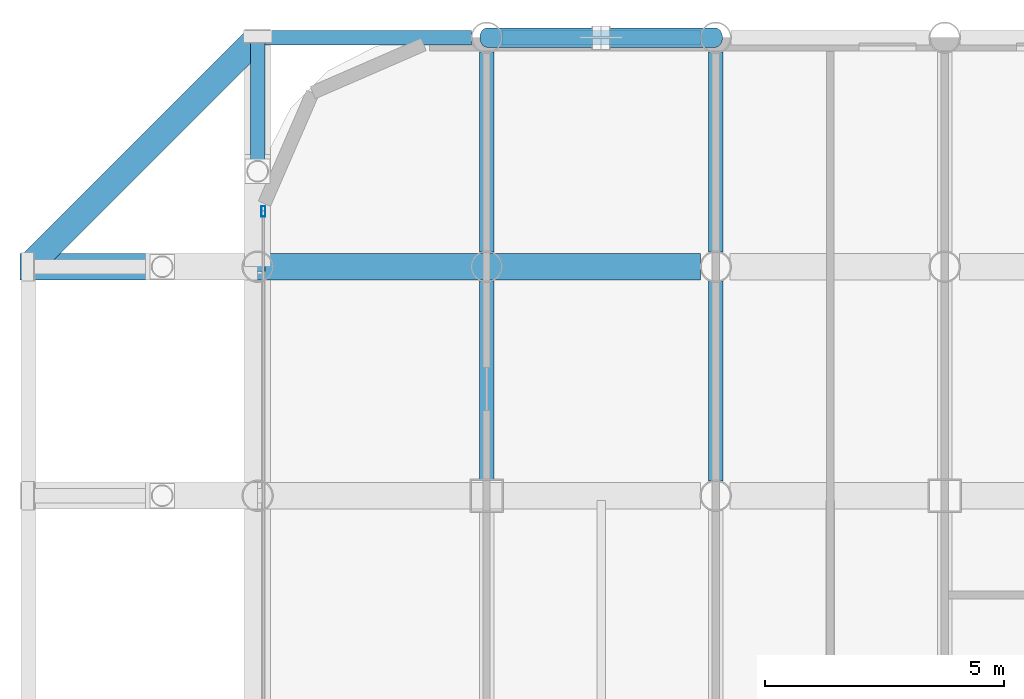
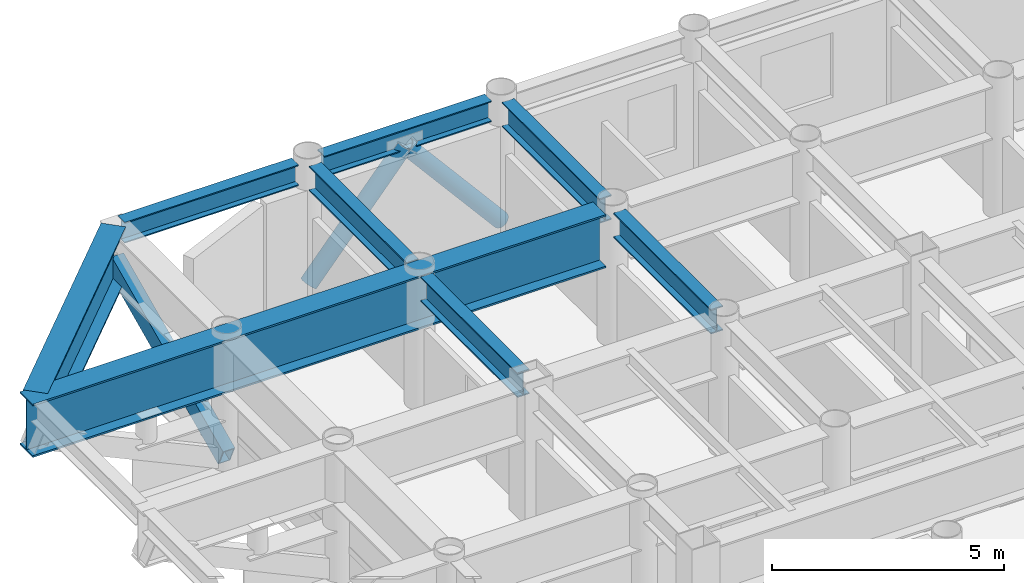
# One storey, part 9 of 23: 8 beams, 4 members, 1 element without a shape of its own.
"""IFC4 building model written with IfcOpenShell, lengths in metres."""

from ifc_helpers import new_model, si_unit, direction, frame, origin, origin_2d, place, context, subcontext, project, spatial, hollow_rectangle, hollow_circle, i_section, extrude, material, layer, layer_set, material_profile, profile_set, type_object, element, aggregate, save


model = new_model("IFC4")

# Units and contexts
model_context = context("Model", 3, precision=1e-05, world=origin(), true_north=direction((0.0, 1.0)))
body_context = subcontext(model_context, "Body", "Model", "MODEL_VIEW")
ifc_project = project(units=[si_unit("LENGTHUNIT", "METRE"), si_unit("AREAUNIT", "SQUARE_METRE"), si_unit("VOLUMEUNIT", "CUBIC_METRE"), si_unit("PLANEANGLEUNIT", "RADIAN"), si_unit("MASSUNIT", "GRAM", prefix="KILO")], contexts=[model_context])

# Site, building, storey
site_placement = place(None, origin())
site = spatial("IfcSite", under=ifc_project, at=site_placement, CompositionType="ELEMENT")
building_placement = place(site_placement, origin())
building = spatial("IfcBuilding", under=site, at=building_placement, Name="Kallvorn Hotel Tower", CompositionType="ELEMENT")
storey_placement = place(building_placement, frame((0.0, 0.0, 121.10009765625)))
storey = spatial("IfcBuildingStorey", under=building, at=storey_placement, Name="L29", CompositionType="ELEMENT", Elevation=121.10009765625)

# Beams
ifc_material_1 = material(Name="Structural steel S355JR", Category="steel")
ifc_material_profile_1 = material_profile(ifc_material_1, i_section(OverallWidth=0.300048828125, OverallDepth=0.550048828125, WebThickness=0.014892578125, FlangeThickness=0.029052734375, at=origin_2d()), Name="HE 550 B")
ifc_profile_set_1 = profile_set([ifc_material_profile_1], Name="Structural steel S355JR")
beam_type_1 = type_object("IfcBeamType", Name="BM_HE550B", PredefinedType="SPANDREL", material=ifc_profile_set_1)
beam_1_placement = place(storey_placement, frame((-28.64990234375, 24.0, 3.244873046875), z_axis=(1.0, 0.0, 0.0), x_axis=(0.0, 1.0, 0.0)))
element("IfcBeam", 1, at=beam_1_placement, inside=storey, type_object=beam_type_1, Name="L30 Perimeter Spandrel 172", PredefinedType="SPANDREL", context=body_context, shape_type="SweptSolid", body=[
    extrude(i_section(OverallWidth=0.300048828125, OverallDepth=0.550048828125, WebThickness=0.014892578125, FlangeThickness=0.029052734375, at=origin_2d()), origin(), (0.0, 0.0, 1.0), 4.329833984375),
])
beam_2_placement = place(storey_placement, frame((-23.679931640625, 24.0, 3.244873046875), z_axis=(1.0, 0.0, 0.0), x_axis=(0.0, 1.0, 0.0)))
element("IfcBeam", 2, at=beam_2_placement, inside=storey, type_object=beam_type_1, Name="L30 Perimeter Spandrel 173", PredefinedType="SPANDREL", context=body_context, shape_type="SweptSolid", body=[
    extrude(i_section(OverallWidth=0.300048828125, OverallDepth=0.550048828125, WebThickness=0.014892578125, FlangeThickness=0.029052734375, at=origin_2d()), origin(), (0.0, 0.0, 1.0), 4.159912109375),
])
ifc_material_2 = material(Name="Structural steel S355JR", Category="steel")
ifc_material_profile_2 = material_profile(ifc_material_2, i_section(OverallWidth=0.300048828125, OverallDepth=0.64990234375, WebThickness=0.01611328125, FlangeThickness=0.031005859375, at=origin_2d()), Name="HE 650 B")
ifc_profile_set_2 = profile_set([ifc_material_profile_2], Name="Structural steel S355JR")
beam_type_2 = type_object("IfcBeamType", Name="BM_HE650B", PredefinedType="BEAM", material=ifc_profile_set_2)
beam_3_placement = place(storey_placement, frame((-24.0, 14.72509765625, 3.19482421875), z_axis=(0.0, 1.0, 0.0), x_axis=(-1.0, 0.0, 0.0)))
element("IfcBeam", 3, at=beam_3_placement, inside=storey, type_object=beam_type_2, Name="L30 Primary Y-Girder 95", PredefinedType="BEAM", context=body_context, shape_type="SweptSolid", body=[
    extrude(i_section(OverallWidth=0.300048828125, OverallDepth=0.64990234375, WebThickness=0.01611328125, FlangeThickness=0.031005859375, at=origin_2d()), origin(), (0.0, 0.0, 1.0), 4.169921875),
])
beam_4_placement = place(storey_placement, frame((-24.0, 19.5048828125, 3.19482421875), z_axis=(0.0, 1.0, 0.0), x_axis=(-1.0, 0.0, 0.0)))
element("IfcBeam", 4, at=beam_4_placement, inside=storey, type_object=beam_type_2, Name="L30 Primary Y-Girder 96", PredefinedType="BEAM", context=body_context, shape_type="SweptSolid", body=[
    extrude(i_section(OverallWidth=0.300048828125, OverallDepth=0.64990234375, WebThickness=0.01611328125, FlangeThickness=0.031005859375, at=origin_2d()), origin(), (0.0, 0.0, 1.0), 4.190185546875),
])
beam_5_placement = place(storey_placement, frame((-19.199951171875, 14.705078125, 3.19482421875), z_axis=(0.0, 1.0, 0.0), x_axis=(-1.0, 0.0, 0.0)))
element("IfcBeam", 5, at=beam_5_placement, inside=storey, type_object=beam_type_2, Name="L30 Primary Y-Girder 104", PredefinedType="BEAM", context=body_context, shape_type="SweptSolid", body=[
    extrude(i_section(OverallWidth=0.300048828125, OverallDepth=0.64990234375, WebThickness=0.01611328125, FlangeThickness=0.031005859375, at=origin_2d()), origin(), (0.0, 0.0, 1.0), 4.18994140625),
])
beam_6_placement = place(storey_placement, frame((-19.199951171875, 19.5048828125, 3.19482421875), z_axis=(0.0, 1.0, 0.0), x_axis=(-1.0, 0.0, 0.0)))
element("IfcBeam", 6, at=beam_6_placement, inside=storey, type_object=beam_type_2, Name="L30 Primary Y-Girder 105", PredefinedType="BEAM", context=body_context, shape_type="SweptSolid", body=[
    extrude(i_section(OverallWidth=0.300048828125, OverallDepth=0.64990234375, WebThickness=0.01611328125, FlangeThickness=0.031005859375, at=origin_2d()), origin(), (0.0, 0.0, 1.0), 4.190185546875),
])
ifc_material_3 = material(Name="Structural steel S355JR", Category="steel")
ifc_material_profile_3 = material_profile(ifc_material_3, i_section(OverallWidth=0.550048828125, OverallDepth=1.39990234375, WebThickness=0.02490234375, FlangeThickness=0.044921875, at=origin_2d()), Name="PG 1400x550x25x45")
ifc_profile_set_3 = profile_set([ifc_material_profile_3], Name="Structural steel S355JR")
beam_type_3 = type_object("IfcBeamType", Name="BM_PG_1400", PredefinedType="BEAM", material=ifc_profile_set_3)
beam_7_placement = place(storey_placement, frame((-19.52001953125, 19.199951171875, 2.81982421875), z_axis=(-1.0, 0.0, 0.0), x_axis=(0.0, -1.0, 0.0)))
element("IfcBeam", 7, at=beam_7_placement, inside=storey, type_object=beam_type_3, Name="L30 Continuous Cantilever Transfer Girder 08", PredefinedType="BEAM", context=body_context, shape_type="SweptSolid", body=[
    extrude(i_section(OverallWidth=0.550048828125, OverallDepth=1.39990234375, WebThickness=0.02490234375, FlangeThickness=0.044921875, at=origin_2d()), origin(), (0.0, 0.0, 1.0), 14.260009765625),
])
beam_8_placement = place(storey_placement, frame((-33.493896484375, 19.30615234375, 2.81982421875), z_axis=(0.707125595474, 0.707087966398, 0.0), x_axis=(-0.707087966398, 0.707125595474, 0.0)))
element("IfcBeam", 8, at=beam_8_placement, inside=storey, type_object=beam_type_3, Name="L30 Rounded Corner Tie Beam 199", PredefinedType="BEAM", context=body_context, shape_type="SweptSolid", body=[
    extrude(i_section(OverallWidth=0.550048828125, OverallDepth=1.39990234375, WebThickness=0.02490234375, FlangeThickness=0.044921875, at=origin_2d()), origin(), (0.0, 0.0, 1.0), 6.488037109375),
])

# Curtain wall, member
ifc_material_4 = material(Name="Thermally broken black-anodised aluminium AA 6063-T6", Category="aluminium")
ifc_layer = layer(ifc_material_4, 0.199951171875)
ifc_layer_set = layer_set([ifc_layer], Name="CW_SYS_3_HOTEL_LOW")
curtain_wall_type = type_object("IfcCurtainWallType", Name="CW_SYS_3_HOTEL_LOW", PredefinedType="USERDEFINED", material=ifc_layer_set)
curtain_wall_placement = place(storey_placement, origin())
curtain_wall = element("IfcCurtainWall", 9, at=curtain_wall_placement, inside=storey, type_object=curtain_wall_type, Name="L29 Dark-Glass Curtain Wall CW-L29-WN", ObjectType="UNITISED CURTAIN WALL", PredefinedType="USERDEFINED")
ifc_material_5 = material(Name="Thermally broken black-anodised aluminium AA 6063-T6", Category="aluminium")
ifc_material_profile_4 = material_profile(ifc_material_5, hollow_rectangle(XDim=0.080078125, YDim=0.219970703125, WallThickness=0.0048828125, at=origin_2d()), Name="MUL 220x80")
ifc_profile_set_4 = profile_set([ifc_material_profile_4], Name="Thermally broken black-anodised aluminium AA 6063-T6")
member_type_1 = type_object("IfcMemberType", Name="CW_MULLION_220x80", PredefinedType="MULLION", material=ifc_profile_set_4)
member_1_placement = place(storey_placement, frame((-28.679931640625, 20.360107421875, 0.02001953125), z_axis=(0.0, 0.0, 1.0), x_axis=(1.0, 0.0, 0.0)))
member_1 = element("IfcMember", 10, at=member_1_placement, type_object=member_type_1, Name="CW-L29-WN Mullion 01", PredefinedType="MULLION", context=body_context, shape_type="SweptSolid", body=[
    extrude(hollow_rectangle(XDim=0.080078125, YDim=0.219970703125, WallThickness=0.0048828125, at=origin_2d()), origin(), (0.0, 0.0, 1.0), 2.079833984375),
])
aggregate(curtain_wall, [member_1])

# Members
ifc_material_6 = material(Name="Structural steel S355J2H", Category="steel")
ifc_material_profile_5 = material_profile(ifc_material_6, hollow_circle(Radius=0.203125, WallThickness=0.01611328125, at=origin_2d()), Name="CHS 406.4x16")
ifc_profile_set_5 = profile_set([ifc_material_profile_5], Name="Structural steel S355J2H")
member_type_2 = type_object("IfcMemberType", Name="MBR_EXO_CHS406", PredefinedType="BRACE", material=ifc_profile_set_5)
for number, where, z_axis, x_axis, name in (
    (11, (-23.987060546875, 24.0, 0.1953125), (0.646833296797, 0.0, 0.762631422218), (0.0, 1.0, 0.0), "L29 Exoskeleton K-Brace N1A"),
    (12, (-19.212890625, 24.0, 0.1953125), (-0.646833296797, 0.0, 0.762631422218), (0.0, -1.0, 0.0), "L29 Exoskeleton K-Brace N1B"),
):
    element("IfcMember", number, at=place(storey_placement, frame(where, z_axis=z_axis, x_axis=x_axis)), inside=storey, type_object=member_type_2, Name=name, PredefinedType="BRACE", context=body_context, shape_type="SweptSolid", body=[
        extrude(hollow_circle(Radius=0.203125, WallThickness=0.01611328125, at=origin_2d()), origin(), (0.0, 0.0, 1.0), 3.670654296875),
    ])
ifc_material_7 = material(Name="Structural steel S355J2H", Category="steel")
ifc_material_profile_6 = material_profile(ifc_material_7, hollow_rectangle(XDim=0.300048828125, YDim=0.5, WallThickness=0.02490234375, at=origin_2d()), Name="RHS 500x300x25")
ifc_profile_set_6 = profile_set([ifc_material_profile_6], Name="Structural steel S355J2H")
member_type_3 = type_object("IfcMemberType", Name="MBR_OUTRIGGER_RHS500", PredefinedType="BRACE", material=ifc_profile_set_6)
member_2_placement = place(storey_placement, frame((-28.800048828125, 19.199951171875, 0.25), z_axis=(0.0, 0.907630778312, 0.419769425115), x_axis=(-1.0, 0.0, 0.0)))
element("IfcMember", 13, at=member_2_placement, inside=storey, type_object=member_type_3, Name="L30 Exoskeleton Cantilever Raking Strut 09", PredefinedType="BRACE", context=body_context, shape_type="SweptSolid", body=[
    extrude(hollow_rectangle(XDim=0.300048828125, YDim=0.5, WallThickness=0.02490234375, at=origin_2d()), origin(), (0.0, 0.0, 1.0), 5.28857421875),
])

save(model, "model.ifc")
